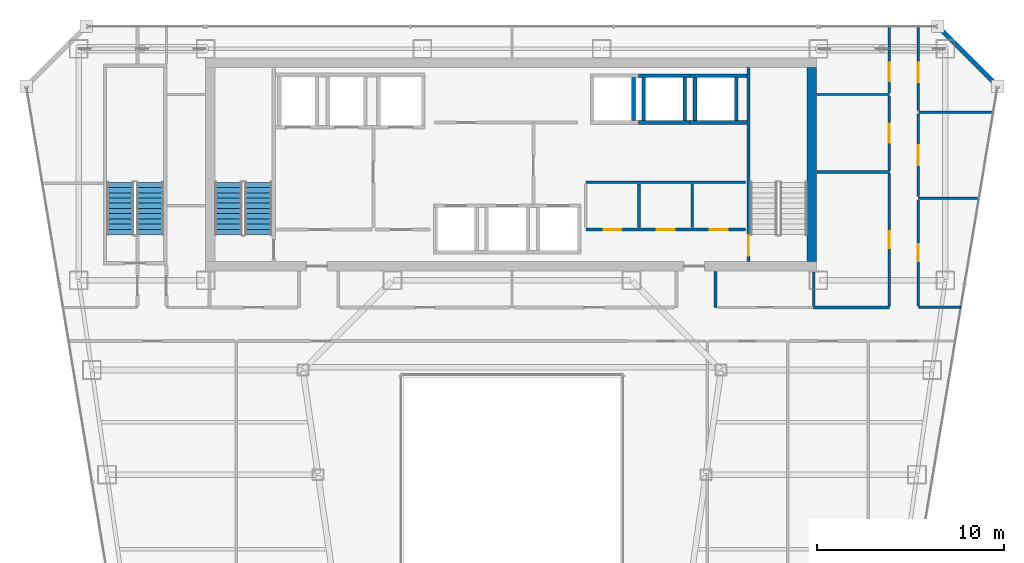
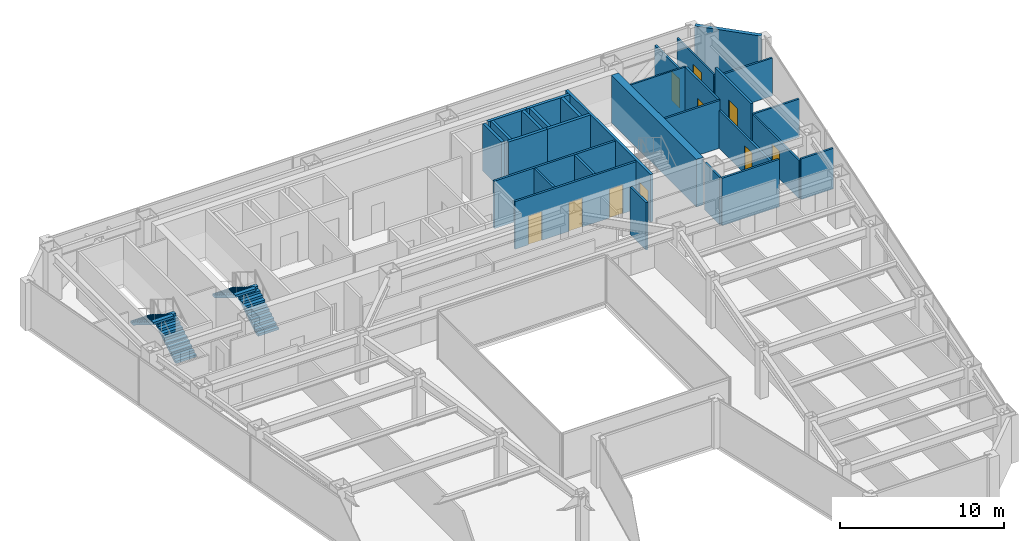
# One storey, part 33 of 37: 30 walls, 10 doors, 4 stair flights, 10 openings, 2 elements without a shape of their own.
"""IFC4 building model written with IfcOpenShell, lengths in metres."""

import ifcopenshell
import ifcopenshell.guid

model = None  # the IFC model being written
_history = None  # IfcOwnerHistory: only IFC2X3 demands one
_inside = {}  # id of a spatial element -> (the spatial element, [elements in it])
_under = {}  # id of a project, library or spatial element -> (it, [spatial elements below it])
_declared = {}  # id of a project -> (the project, [libraries it declares])
_typed = {}  # id of a type object -> (the type object, [elements of that type])
_made_of = {}  # id of a material, layer set ... -> (it, [elements and type objects made of it])


def new_model(schema):
    """Start an empty IFC model of exactly this schema.

    Asked for "IFC4X3", IfcOpenShell would pick the latest addendum, in which some entities
    have other attributes; the version numbers below select the first issue.
    IFC2X3 requires an IfcOwnerHistory on every rooted entity: one is made here for all.
    """
    global model, _history
    if schema == "IFC4X3":
        model = ifcopenshell.file(schema_version=(4, 3, 0, 0))
    else:
        model = ifcopenshell.file(schema=schema)
    _inside.clear()
    _under.clear()
    _declared.clear()
    _typed.clear()
    _made_of.clear()
    _history = None
    if model.schema == "IFC2X3":
        org = make("IfcOrganization", Name="unknown")
        user = make(
            "IfcPersonAndOrganization",
            ThePerson=make("IfcPerson", FamilyName="unknown"),
            TheOrganization=org,
        )
        app = make(
            "IfcApplication",
            ApplicationDeveloper=org,
            Version="unknown",
            ApplicationFullName="unknown",
            ApplicationIdentifier="unknown",
        )
        _history = make(
            "IfcOwnerHistory",
            OwningUser=user,
            OwningApplication=app,
            ChangeAction="ADDED",
            CreationDate=0,
        )
    return model


def make(cls, **values):
    """One entity of the class cls with the attributes given. An attribute that is None is left unset."""
    return model.create_entity(
        cls, **{name: value for name, value in values.items() if value is not None}
    )


def rooted(cls, **values):
    """An entity with a GlobalId (a new one), such as an element, a storey or a relation."""
    return make(cls, GlobalId=ifcopenshell.guid.new(), OwnerHistory=_history, **values)


def si_unit(unit_type, name, prefix=None):
    """IfcSIUnit, for example si_unit("LENGTHUNIT", "METRE", prefix="MILLI")."""
    return make("IfcSIUnit", UnitType=unit_type, Prefix=prefix, Name=name)


def assignment(units):
    """IfcUnitAssignment: the units of a project."""
    return None if units is None else make("IfcUnitAssignment", Units=units)


def point(xyz):
    """IfcCartesianPoint."""
    return None if xyz is None else make("IfcCartesianPoint", Coordinates=xyz)


def direction(xyz):
    """IfcDirection."""
    return None if xyz is None else make("IfcDirection", DirectionRatios=xyz)


def frame(location, z_axis=None, x_axis=None):
    """IfcAxis2Placement3D, a coordinate frame: its origin and axes. An axis left out is left unset."""
    return make(
        "IfcAxis2Placement3D",
        Location=point(location),
        Axis=direction(z_axis),
        RefDirection=direction(x_axis),
    )


def frame_2d(location, x_axis=None):
    """IfcAxis2Placement2D, a coordinate frame in the plane: its origin and x axis."""
    return make(
        "IfcAxis2Placement2D", Location=point(location), RefDirection=direction(x_axis)
    )


def origin():
    """The frame at (0, 0, 0) with its axes left unset."""
    return frame((0.0, 0.0, 0.0))


def place(relative_to, where):
    """IfcLocalPlacement: puts the frame where relative to a parent placement (None: the world)."""
    return make(
        "IfcLocalPlacement", PlacementRelTo=relative_to, RelativePlacement=where
    )


def context(
    kind, dimensions, precision=None, world=None, true_north=None, identifier=None
):
    """IfcGeometricRepresentationContext, for example the 3D "Model" context."""
    return make(
        "IfcGeometricRepresentationContext",
        ContextIdentifier=identifier,
        ContextType=kind,
        CoordinateSpaceDimension=dimensions,
        Precision=precision,
        WorldCoordinateSystem=world,
        TrueNorth=true_north,
    )


def subcontext(parent, identifier, kind, view, scale=None):
    """IfcGeometricRepresentationSubContext, for example "Body" below "Model"."""
    return make(
        "IfcGeometricRepresentationSubContext",
        ContextIdentifier=identifier,
        ContextType=kind,
        ParentContext=parent,
        TargetScale=scale,
        TargetView=view,
    )


def project(units=None, contexts=None):
    """IfcProject with its units and contexts."""
    return rooted(
        "IfcProject",
        Name="project",
        RepresentationContexts=contexts,
        UnitsInContext=assignment(units),
    )


def spatial(cls, under=None, at=None, **own):
    """A site, building, storey or space (cls), placed at a placement, below another one or the project."""
    s = rooted(cls, ObjectPlacement=at, **own)
    if under is not None:
        _under.setdefault(under.id(), (under, []))[1].append(s)
    return s


def polyline(points):
    """IfcPolyline through the points."""
    return make("IfcPolyline", Points=[point(p) for p in points])


def profile(cls, at=None, kind="AREA", **sizes):
    """A parametric profile (cls). Its sizes go by their IFC names, for example OverallWidth=200.0."""
    return make(cls, ProfileType=kind, Position=at, **sizes)


def rectangle(**sizes):
    """IfcRectangleProfileDef."""
    return profile("IfcRectangleProfileDef", **sizes)


def outline(outer, holes=None, kind="AREA"):
    """IfcArbitraryClosedProfileDef: a profile drawn as a closed curve; with holes, ...WithVoids."""
    if holes is None:
        return make("IfcArbitraryClosedProfileDef", ProfileType=kind, OuterCurve=outer)
    return make(
        "IfcArbitraryProfileDefWithVoids",
        ProfileType=kind,
        OuterCurve=outer,
        InnerCurves=holes,
    )


def extrude(swept, where, along, depth):
    """IfcExtrudedAreaSolid: the profile swept, set in the frame where, extruded along a direction by depth."""
    return make(
        "IfcExtrudedAreaSolid",
        SweptArea=swept,
        Position=where,
        ExtrudedDirection=direction(along),
        Depth=depth,
    )


def shape(context_of_items, identifier, shape_type, items):
    """IfcShapeRepresentation: the items that make up one representation, for example the "Body"."""
    return make(
        "IfcShapeRepresentation",
        ContextOfItems=context_of_items,
        RepresentationIdentifier=identifier,
        RepresentationType=shape_type,
        Items=items,
    )


def material(Name=None, Category=None):
    """IfcMaterial."""
    return make("IfcMaterial", Name=Name, Category=Category)


def layer(
    of_material, thickness, ventilated=None, Name=None, Category=None, Priority=None
):
    """IfcMaterialLayer: one layer of a wall or slab, of a material (None: an air gap)."""
    return make(
        "IfcMaterialLayer",
        Material=of_material,
        LayerThickness=thickness,
        IsVentilated=ventilated,
        Name=Name,
        Category=Category,
        Priority=Priority,
    )


def layer_set(layers, Name=None):
    """IfcMaterialLayerSet."""
    return make("IfcMaterialLayerSet", MaterialLayers=layers, LayerSetName=Name)


def made_of(thing, what):
    """Note that an element or type object is made of a material, layer set ...; save() writes the relation."""
    if what is not None:
        _made_of.setdefault(what.id(), (what, []))[1].append(thing)
    return thing


def type_object(cls, material=None, **own):
    """A type object (cls), such as IfcWallType, which elements share."""
    return made_of(rooted(cls, **own), material)


def element(
    cls,
    number,
    at=None,
    inside=None,
    cuts=None,
    type_object=None,
    material=None,
    context=None,
    identifier="Body",
    shape_type=None,
    held_by="IfcProductDefinitionShape",
    body=None,
    shapes=None,
    **own,
):
    """One element of the class cls, such as IfcWall. Its Tag is "e" and its number.

    at: its placement. inside: the storey or other place that contains it. cuts: it is an
    opening in that element (IfcRelVoidsElement). A single representation is given by context,
    identifier, shape_type and body (its items); several are given by shapes. held_by: the class
    of the entity that holds the representations. save() writes the other relations.
    """
    e = rooted(cls, Tag="e%d" % number, ObjectPlacement=at, **own)
    if body is not None:
        shapes = [shape(context, identifier, shape_type, body)]
    if shapes is not None:
        e.Representation = make(held_by, Representations=shapes)
    if inside is not None:
        _inside.setdefault(inside.id(), (inside, []))[1].append(e)
    if cuts is not None:
        rooted(
            "IfcRelVoidsElement", RelatingBuildingElement=cuts, RelatedOpeningElement=e
        )
    if type_object is not None:
        _typed.setdefault(type_object.id(), (type_object, []))[1].append(e)
    return made_of(e, material)


def fill(opening, filler):
    """IfcRelFillsElement: the door or window that sits in an opening."""
    return rooted(
        "IfcRelFillsElement",
        RelatingOpeningElement=opening,
        RelatedBuildingElement=filler,
    )


def aggregate(whole, parts):
    """IfcRelAggregates: a whole, such as a stair, and the parts it consists of."""
    return rooted("IfcRelAggregates", RelatingObject=whole, RelatedObjects=parts)


def save(model, path):
    """Write the relations noted so far, then the file.

    IfcRelAggregates (storeys below a building ...), IfcRelContainedInSpatialStructure (elements
    in a storey), IfcRelDefinesByType, IfcRelAssociatesMaterial and IfcRelDeclares: one each for
    every whole, place, type object, material and project.
    """
    for whole, parts in _under.values():
        aggregate(whole, parts)
    for where, things in _inside.values():
        rooted(
            "IfcRelContainedInSpatialStructure",
            RelatedElements=things,
            RelatingStructure=where,
        )
    for kind, things in _typed.values():
        rooted("IfcRelDefinesByType", RelatedObjects=things, RelatingType=kind)
    for what, things in _made_of.values():
        rooted("IfcRelAssociatesMaterial", RelatedObjects=things, RelatingMaterial=what)
    for by, libraries in _declared.values():
        rooted("IfcRelDeclares", RelatingContext=by, RelatedDefinitions=libraries)
    model.write(path)


model = new_model("IFC4")

# Units and contexts
model_context = context("Model", 3, precision=1e-05, world=origin(), true_north=direction((0.0, 1.0)))
body_context = subcontext(model_context, "Body", "Model", "MODEL_VIEW")
ifc_project = project(units=[si_unit("LENGTHUNIT", "METRE"), si_unit("AREAUNIT", "SQUARE_METRE"), si_unit("VOLUMEUNIT", "CUBIC_METRE"), si_unit("PLANEANGLEUNIT", "RADIAN"), si_unit("MASSUNIT", "GRAM", prefix="KILO")], contexts=[model_context])

# Site, building, storey
site_placement = place(None, origin())
site = spatial("IfcSite", under=ifc_project, at=site_placement, CompositionType="ELEMENT")
building_placement = place(site_placement, origin())
building = spatial("IfcBuilding", under=site, at=building_placement, Name="Saevonmaru Cultural Tower", CompositionType="ELEMENT")
storey_placement = place(building_placement, frame((0.0, 0.0, 141.0)))
storey = spatial("IfcBuildingStorey", under=building, at=storey_placement, Name="L30", CompositionType="ELEMENT", Elevation=141.0)

# Wall
ifc_material_1 = material(Name="Concrete C60/75", Category="concrete")
ifc_layer_1 = layer(ifc_material_1, 0.5, Name="Concrete C60/75")
ifc_layer_set_1 = layer_set([ifc_layer_1], Name="Concrete C60/75")
wall_type_1 = type_object("IfcWallType", Name="WL-CORE-500", PredefinedType="SHEAR", material=ifc_layer_set_1)
wall_1_placement = place(storey_placement, frame((46.050048828125, 43.39990234375, 0.0), z_axis=(0.0, 0.0, 1.0), x_axis=(0.0, 1.0, 0.0)))
element("IfcWall", 1, at=wall_1_placement, inside=storey, type_object=wall_type_1, Name="L30 Tower RC core shear wall E", PredefinedType="SHEAR", context=body_context, shape_type="SweptSolid", body=[
    extrude(rectangle(XDim=10.400146484375, YDim=0.5, at=frame_2d((5.2001953125, 0.0))), origin(), (0.0, 0.0, 1.0), 3.550048828125),
])

# Wall, openings, doors
ifc_material_2 = material(Name="Gypsum Fireboard Partition", Category="gypsum")
ifc_layer_2 = layer(ifc_material_2, 0.14990234375, Name="Gypsum Fireboard Partition")
ifc_layer_set_2 = layer_set([ifc_layer_2], Name="Gypsum Fireboard Partition")
wall_type_2 = type_object("IfcWallType", Name="WL-CORE-PART-150", PredefinedType="PARTITIONING", material=ifc_layer_set_2)
wall_2_placement = place(storey_placement, frame((33.949951171875, 45.1201171875, 0.0), z_axis=(0.0, 0.0, 1.0), x_axis=(1.0, 0.0, 0.0)))
wall_2 = element("IfcWall", 2, at=wall_2_placement, inside=storey, type_object=wall_type_2, Name="L30 Core Utility South Wall", PredefinedType="PARTITIONING", context=body_context, shape_type="SweptSolid", body=[
    extrude(rectangle(XDim=8.550048828125, YDim=0.14990234375, at=frame_2d((4.27490234375, 0.0))), origin(), (0.0, 0.0, 1.0), 3.550048828125),
])
opening_1_placement = place(wall_2_placement, frame((0.949951171875, 0.0, 0.0)))
opening_1 = element("IfcOpeningElement", 3, at=opening_1_placement, cuts=wall_2, Name="Opening FD-4", PredefinedType="OPENING", context=body_context, shape_type="SweptSolid", body=[
    extrude(rectangle(XDim=0.949951171875, YDim=2.14990234375, at=frame_2d((0.47509765625, 1.074951171875))), frame((0.0, 0.0849609375, 0.0), z_axis=(0.0, -1.0, 0.0), x_axis=(1.0, 0.0, 0.0)), (0.0, 0.0, 1.0), 0.169921875),
])
opening_2_placement = place(wall_2_placement, frame((3.800048828125, 0.0, 0.0)))
opening_2 = element("IfcOpeningElement", 4, at=opening_2_placement, cuts=wall_2, Name="Opening FD-4", PredefinedType="OPENING", context=body_context, shape_type="SweptSolid", body=[
    extrude(rectangle(XDim=0.949951171875, YDim=2.14990234375, at=frame_2d((0.47509765625, 1.074951171875))), frame((0.0, 0.0849609375, 0.0), z_axis=(0.0, -1.0, 0.0), x_axis=(1.0, 0.0, 0.0)), (0.0, 0.0, 1.0), 0.169921875),
])
opening_3_placement = place(wall_2_placement, frame((6.64990234375, 0.0, 0.0)))
opening_3 = element("IfcOpeningElement", 5, at=opening_3_placement, cuts=wall_2, Name="Opening FD-4", PredefinedType="OPENING", context=body_context, shape_type="SweptSolid", body=[
    extrude(rectangle(XDim=0.949951171875, YDim=2.14990234375, at=frame_2d((0.47509765625, 1.074951171875))), frame((0.0, 0.0849609375, 0.0), z_axis=(0.0, -1.0, 0.0), x_axis=(1.0, 0.0, 0.0)), (0.0, 0.0, 1.0), 0.169921875),
])
ifc_material_3 = material(Name="Satin Bronze Anodised Aluminium", Category="aluminium")
door_type_1 = type_object("IfcDoorType", Name="DR-FD60-950", OperationType="SINGLE_SWING_LEFT", PredefinedType="DOOR", material=ifc_material_3)
door_1_placement = place(opening_1_placement, origin())
door_1 = element("IfcDoor", 6, at=door_1_placement, inside=storey, type_object=door_type_1, Name="L30 Meter Plant Door", OperationType="SINGLE_SWING_LEFT", OverallHeight=2.14990234375, OverallWidth=0.949951171875, PredefinedType="DOOR", context=body_context, shape_type="SweptSolid", body=[
    extrude(rectangle(XDim=0.949951171875, YDim=2.14990234375, at=frame_2d((0.47509765625, 1.074951171875))), frame((0.0, 0.02490234375, 0.0), z_axis=(0.0, -1.0, 0.0), x_axis=(1.0, 0.0, 0.0)), (0.0, 0.0, 1.0), 0.050048828125),
])
fill(opening_1, door_1)
door_2_placement = place(opening_2_placement, origin())
door_2 = element("IfcDoor", 7, at=door_2_placement, inside=storey, type_object=door_type_1, Name="L30 AV Rack Plant Door", OperationType="SINGLE_SWING_LEFT", OverallHeight=2.14990234375, OverallWidth=0.949951171875, PredefinedType="DOOR", context=body_context, shape_type="SweptSolid", body=[
    extrude(rectangle(XDim=0.949951171875, YDim=2.14990234375, at=frame_2d((0.47509765625, 1.074951171875))), frame((0.0, 0.02490234375, 0.0), z_axis=(0.0, -1.0, 0.0), x_axis=(1.0, 0.0, 0.0)), (0.0, 0.0, 1.0), 0.050048828125),
])
fill(opening_2, door_2)
door_3_placement = place(opening_3_placement, origin())
door_3 = element("IfcDoor", 8, at=door_3_placement, inside=storey, type_object=door_type_1, Name="L30 Archive Supply Storage Door", OperationType="SINGLE_SWING_LEFT", OverallHeight=2.14990234375, OverallWidth=0.949951171875, PredefinedType="DOOR", context=body_context, shape_type="SweptSolid", body=[
    extrude(rectangle(XDim=0.949951171875, YDim=2.14990234375, at=frame_2d((0.47509765625, 1.074951171875))), frame((0.0, 0.02490234375, 0.0), z_axis=(0.0, -1.0, 0.0), x_axis=(1.0, 0.0, 0.0)), (0.0, 0.0, 1.0), 0.050048828125),
])
fill(opening_3, door_3)

# Walls
wall_3_placement = place(storey_placement, frame((33.949951171875, 47.64990234375, 0.0), z_axis=(0.0, 0.0, 1.0), x_axis=(1.0, 0.0, 0.0)))
element("IfcWall", 9, at=wall_3_placement, inside=storey, type_object=wall_type_2, Name="L30 Core Utility North Wall", PredefinedType="PARTITIONING", context=body_context, shape_type="SweptSolid", body=[
    extrude(rectangle(XDim=8.550048828125, YDim=0.14990234375, at=frame_2d((4.27490234375, 0.0))), origin(), (0.0, 0.0, 1.0), 3.550048828125),
])
for number, where, z_axis, x_axis, name in (
    (10, (36.800048828125, 45.219970703125, 0.0), (0.0, 0.0, 1.0), (0.0, 1.0, 0.0), "L30 Utility Divider 1"),
    (11, (39.64990234375, 45.219970703125, 0.0), (0.0, 0.0, 1.0), (0.0, 1.0, 0.0), "L30 Utility Divider 2"),
):
    element("IfcWall", number, at=place(storey_placement, frame(where, z_axis=z_axis, x_axis=x_axis)), inside=storey, type_object=wall_type_2, Name=name, PredefinedType="PARTITIONING", context=body_context, shape_type="SweptSolid", body=[
        extrude(rectangle(XDim=2.330078125, YDim=0.14990234375, at=frame_2d((1.1650390625, 0.0))), origin(), (0.0, 0.0, 1.0), 3.550048828125),
    ])
ifc_material_4 = material(Name="Granite-Clad Precast Concrete C40/50", Category="masonry")
ifc_layer_3 = layer(ifc_material_4, 0.260009765625, Name="Granite-Clad Precast Concrete C40/50")
ifc_layer_set_3 = layer_set([ifc_layer_3], Name="Granite-Clad Precast Concrete C40/50")
wall_type_3 = type_object("IfcWallType", Name="WL-EXT-SPANDREL-260", PredefinedType="STANDARD", material=ifc_layer_set_3)
wall_4_placement = place(storey_placement, frame((55.886962890625, 52.9130859375, 0.0), z_axis=(0.0, 0.0, 1.0), x_axis=(-0.707106781187, 0.707106781187, 0.0)))
element("IfcWall", 12, at=wall_4_placement, inside=storey, type_object=wall_type_3, Name="L30 Chamfer Corner Spandrel Wall E9", PredefinedType="STANDARD", context=body_context, shape_type="SweptSolid", body=[
    extrude(rectangle(XDim=4.205810546875, YDim=0.260009765625, at=frame_2d((2.10302734375, 0.0))), origin(), (0.0, 0.0, 1.0), 3.550048828125),
])

# Wall, opening, door
ifc_layer_4 = layer(ifc_material_2, 0.14990234375, Name="Gypsum Fireboard Partition")
ifc_layer_set_4 = layer_set([ifc_layer_4], Name="Gypsum Fireboard Partition")
wall_type_4 = type_object("IfcWallType", Name="WL-PART-FIRE-150", PredefinedType="PARTITIONING", material=ifc_layer_set_4)
wall_5_placement = place(storey_placement, frame((50.199951171875, 48.2900390625, 0.0), z_axis=(0.0, 0.0, 1.0), x_axis=(0.0, 1.0, 0.0)))
wall_5 = element("IfcWall", 13, at=wall_5_placement, inside=storey, type_object=wall_type_4, Name="L30 Acoustic Chamber Auditorium Corridor Wall", PredefinedType="PARTITIONING", context=body_context, shape_type="SweptSolid", body=[
    extrude(rectangle(XDim=3.97998046875, YDim=0.14990234375, at=frame_2d((1.989990234375, 0.0))), origin(), (0.0, 0.0, 1.0), 3.550048828125),
])
opening_4_placement = place(wall_5_placement, frame((1.489990234375, 0.0, 0.0)))
opening_4 = element("IfcOpeningElement", 14, at=opening_4_placement, cuts=wall_5, Name="Opening ID-1B", PredefinedType="OPENING", context=body_context, shape_type="SweptSolid", body=[
    extrude(rectangle(XDim=1.0, YDim=2.14990234375, at=frame_2d((0.5, 1.074951171875))), frame((0.0, 0.0849609375, 0.0), z_axis=(0.0, -1.0, 0.0), x_axis=(1.0, 0.0, 0.0)), (0.0, 0.0, 1.0), 0.169921875),
])
ifc_material_5 = material(Name="Acoustic Stained Oak Timber", Category="wood")
door_type_2 = type_object("IfcDoorType", Name="DR-INT-1000", OperationType="SINGLE_SWING_RIGHT", PredefinedType="DOOR", material=ifc_material_5)
door_4_placement = place(opening_4_placement, origin())
door_4 = element("IfcDoor", 15, at=door_4_placement, inside=storey, type_object=door_type_2, Name="L30 Acoustic Chamber Auditorium Door", OperationType="SINGLE_SWING_LEFT", OverallHeight=2.14990234375, OverallWidth=1.0, PredefinedType="DOOR", context=body_context, shape_type="SweptSolid", body=[
    extrude(rectangle(XDim=1.0, YDim=2.14990234375, at=frame_2d((0.5, 1.074951171875))), frame((0.0, 0.02490234375, 0.0), z_axis=(0.0, -1.0, 0.0), x_axis=(1.0, 0.0, 0.0)), (0.0, 0.0, 1.0), 0.050048828125),
])
fill(opening_4, door_4)

wall_6_placement = place(storey_placement, frame((50.199951171875, 52.429931640625, 0.0), z_axis=(0.0, 0.0, 1.0), x_axis=(0.0, 1.0, 0.0)))
wall_6 = element("IfcWall", 16, at=wall_6_placement, inside=storey, type_object=wall_type_4, Name="L30 Sound Art Screening Auditorium Corridor Wall", PredefinedType="PARTITIONING", context=body_context, shape_type="SweptSolid", body=[
    extrude(rectangle(XDim=3.565185546875, YDim=0.14990234375, at=frame_2d((1.78271484375, 0.0))), origin(), (0.0, 0.0, 1.0), 2.93505859375),
])
opening_5_placement = place(wall_6_placement, frame((0.6220703125, 0.0, 0.0)))
opening_5 = element("IfcOpeningElement", 17, at=opening_5_placement, cuts=wall_6, Name="Opening ID-1B", PredefinedType="OPENING", context=body_context, shape_type="SweptSolid", body=[
    extrude(rectangle(XDim=1.0, YDim=2.14990234375, at=frame_2d((0.5, 1.074951171875))), frame((0.0, 0.0849609375, 0.0), z_axis=(0.0, -1.0, 0.0), x_axis=(1.0, 0.0, 0.0)), (0.0, 0.0, 1.0), 0.169921875),
])
door_5_placement = place(opening_5_placement, origin())
door_5 = element("IfcDoor", 18, at=door_5_placement, inside=storey, type_object=door_type_2, Name="L30 Sound Art Screening Auditorium Door", OperationType="SINGLE_SWING_RIGHT", OverallHeight=2.14990234375, OverallWidth=1.0, PredefinedType="DOOR", context=body_context, shape_type="SweptSolid", body=[
    extrude(rectangle(XDim=1.0, YDim=2.14990234375, at=frame_2d((0.5, 1.074951171875))), frame((0.0, 0.02490234375, 0.0), z_axis=(0.0, -1.0, 0.0), x_axis=(1.0, 0.0, 0.0)), (0.0, 0.0, 1.0), 0.050048828125),
])
fill(opening_5, door_5)

wall_7_placement = place(storey_placement, frame((51.75, 46.887451171875, 0.0), z_axis=(0.0, 0.0, 1.0), x_axis=(0.0, 1.0, 0.0)))
wall_7 = element("IfcWall", 19, at=wall_7_placement, inside=storey, type_object=wall_type_4, Name="L30 Sky Observatory Gallery Corridor Wall", PredefinedType="PARTITIONING", context=body_context, shape_type="SweptSolid", body=[
    extrude(rectangle(XDim=4.425048828125, YDim=0.14990234375, at=frame_2d((2.21240234375, 0.0))), origin(), (0.0, 0.0, 1.0), 3.550048828125),
])
opening_6_placement = place(wall_7_placement, frame((1.68701171875, 0.0, 0.0)))
opening_6 = element("IfcOpeningElement", 20, at=opening_6_placement, cuts=wall_7, Name="Opening ID-1", PredefinedType="OPENING", context=body_context, shape_type="SweptSolid", body=[
    extrude(rectangle(XDim=1.050048828125, YDim=2.14990234375, at=frame_2d((0.52490234375, 1.074951171875))), frame((0.0, 0.0849609375, 0.0), z_axis=(0.0, -1.0, 0.0), x_axis=(1.0, 0.0, 0.0)), (0.0, 0.0, 1.0), 0.169921875),
])
door_type_3 = type_object("IfcDoorType", Name="DR-INT-1050", OperationType="SINGLE_SWING_LEFT", PredefinedType="DOOR", material=ifc_material_3)
door_6_placement = place(opening_6_placement, origin())
door_6 = element("IfcDoor", 21, at=door_6_placement, inside=storey, type_object=door_type_3, Name="L30 Sky Observatory Gallery Door", OperationType="SINGLE_SWING_RIGHT", OverallHeight=2.14990234375, OverallWidth=1.050048828125, PredefinedType="DOOR", context=body_context, shape_type="SweptSolid", body=[
    extrude(rectangle(XDim=1.050048828125, YDim=2.14990234375, at=frame_2d((0.52490234375, 1.074951171875))), frame((0.0, 0.02490234375, 0.0), z_axis=(0.0, -1.0, 0.0), x_axis=(1.0, 0.0, 0.0)), (0.0, 0.0, 1.0), 0.050048828125),
])
fill(opening_6, door_6)

# Walls
wall_8_placement = place(storey_placement, frame((40.89990234375, 40.949951171875, 0.0), z_axis=(0.0, 0.0, 1.0), x_axis=(0.0, 1.0, 0.0)))
element("IfcWall", 22, at=wall_8_placement, inside=storey, type_object=wall_type_4, Name="L30 Core Portal Side Wall E2", PredefinedType="PARTITIONING", context=body_context, shape_type="SweptSolid", body=[
    extrude(rectangle(XDim=1.929931640625, YDim=0.14990234375, at=frame_2d((0.96484375, 0.0))), origin(), (0.0, 0.0, 1.0), 3.550048828125),
])
ifc_layer_5 = layer(ifc_material_2, 0.1201171875, Name="Gypsum Fireboard Partition")
ifc_layer_set_5 = layer_set([ifc_layer_5], Name="Gypsum Fireboard Partition")
wall_type_5 = type_object("IfcWallType", Name="WL-PART-GYP-120", PredefinedType="PARTITIONING", material=ifc_layer_set_5)
wall_9_placement = place(storey_placement, frame((46.320068359375, 52.35009765625, 0.0), z_axis=(0.0, 0.0, 1.0), x_axis=(1.0, 0.0, 0.0)))
element("IfcWall", 23, at=wall_9_placement, inside=storey, type_object=wall_type_5, Name="L30 North-East Panorama South Wall", PredefinedType="PARTITIONING", context=body_context, shape_type="SweptSolid", body=[
    extrude(rectangle(XDim=3.8798828125, YDim=0.1201171875, at=frame_2d((1.93994140625, 0.0))), origin(), (0.0, 0.0, 1.0), 3.550048828125),
])

# Wall, opening, door
wall_10_placement = place(storey_placement, frame((51.75, 41.03759765625, 0.0), z_axis=(0.0, 0.0, 1.0), x_axis=(0.0, 1.0, 0.0)))
wall_10 = element("IfcWall", 24, at=wall_10_placement, inside=storey, type_object=wall_type_5, Name="L30 Scholarly Colloquium Meeting Room Corridor Wall", PredefinedType="PARTITIONING", context=body_context, shape_type="SweptSolid", body=[
    extrude(rectangle(XDim=5.6748046875, YDim=0.1201171875, at=frame_2d((2.83740234375, 0.0))), origin(), (0.0, 0.0, 1.0), 2.8349609375),
])
opening_7_placement = place(wall_10_placement, frame((2.386962890625, 0.0, 0.0)))
opening_7 = element("IfcOpeningElement", 25, at=opening_7_placement, cuts=wall_10, Name="Opening ID-2", PredefinedType="OPENING", context=body_context, shape_type="SweptSolid", body=[
    extrude(rectangle(XDim=0.89990234375, YDim=2.10009765625, at=frame_2d((0.449951171875, 1.050048828125))), frame((0.0, 0.070068359375, 0.0), z_axis=(0.0, -1.0, 0.0), x_axis=(1.0, 0.0, 0.0)), (0.0, 0.0, 1.0), 0.14013671875),
])
door_type_4 = type_object("IfcDoorType", Name="DR-INT-900", OperationType="SINGLE_SWING_RIGHT", PredefinedType="DOOR", material=ifc_material_5)
door_7_placement = place(opening_7_placement, origin())
door_7 = element("IfcDoor", 26, at=door_7_placement, inside=storey, type_object=door_type_4, Name="L30 Scholarly Colloquium Meeting Room Door", OperationType="SINGLE_SWING_LEFT", OverallHeight=2.10009765625, OverallWidth=0.89990234375, PredefinedType="DOOR", context=body_context, shape_type="SweptSolid", body=[
    extrude(rectangle(XDim=0.89990234375, YDim=2.10009765625, at=frame_2d((0.449951171875, 1.050048828125))), frame((0.0, 0.02490234375, 0.0), z_axis=(0.0, -1.0, 0.0), x_axis=(1.0, 0.0, 0.0)), (0.0, 0.0, 1.0), 0.050048828125),
])
fill(opening_7, door_7)

wall_11_placement = place(storey_placement, frame((51.75, 51.487548828125, 0.0), z_axis=(0.0, 0.0, 1.0), x_axis=(0.0, 1.0, 0.0)))
wall_11 = element("IfcWall", 27, at=wall_11_placement, inside=storey, type_object=wall_type_5, Name="L30 Panorama Reading Room Corridor Wall", PredefinedType="PARTITIONING", context=body_context, shape_type="SweptSolid", body=[
    extrude(rectangle(XDim=4.507568359375, YDim=0.1201171875, at=frame_2d((2.25390625, 0.0))), origin(), (0.0, 0.0, 1.0), 2.93505859375),
])
opening_8_placement = place(wall_11_placement, frame((1.509033203125, 0.0, 0.0)))
opening_8 = element("IfcOpeningElement", 28, at=opening_8_placement, cuts=wall_11, Name="Opening ID-1", PredefinedType="OPENING", context=body_context, shape_type="SweptSolid", body=[
    extrude(rectangle(XDim=1.050048828125, YDim=2.14990234375, at=frame_2d((0.52490234375, 1.074951171875))), frame((0.0, 0.070068359375, 0.0), z_axis=(0.0, -1.0, 0.0), x_axis=(1.0, 0.0, 0.0)), (0.0, 0.0, 1.0), 0.14013671875),
])
door_8_placement = place(opening_8_placement, origin())
door_8 = element("IfcDoor", 29, at=door_8_placement, inside=storey, type_object=door_type_3, Name="L30 Panorama Reading Room Door", OperationType="SINGLE_SWING_LEFT", OverallHeight=2.14990234375, OverallWidth=1.050048828125, PredefinedType="DOOR", context=body_context, shape_type="SweptSolid", body=[
    extrude(rectangle(XDim=1.050048828125, YDim=2.14990234375, at=frame_2d((0.52490234375, 1.074951171875))), frame((0.0, 0.02490234375, 0.0), z_axis=(0.0, -1.0, 0.0), x_axis=(1.0, 0.0, 0.0)), (0.0, 0.0, 1.0), 0.050048828125),
])
fill(opening_8, door_8)

# Walls
ifc_layer_6 = layer(ifc_material_2, 0.135009765625, Name="Gypsum Fireboard Partition")
ifc_layer_set_6 = layer_set([ifc_layer_6], Name="Gypsum Fireboard Partition")
wall_type_6 = type_object("IfcWallType", Name="WL-PART-GYP-135", PredefinedType="PARTITIONING", material=ifc_layer_set_6)
wall_12_placement = place(storey_placement, frame((51.75, 40.949951171875, 0.0), z_axis=(0.0, 0.0, 1.0), x_axis=(1.0, 0.0, 0.0)))
element("IfcWall", 30, at=wall_12_placement, inside=storey, type_object=wall_type_6, Name="L30 NE Wing South Wall", PredefinedType="PARTITIONING", context=body_context, shape_type="SweptSolid", body=[
    extrude(rectangle(XDim=2.27490234375, YDim=0.135009765625, at=frame_2d((1.137451171875, 0.0))), origin(), (0.0, 0.0, 1.0), 3.034912109375),
])
wall_13_placement = place(storey_placement, frame((51.75, 46.800048828125, 0.0), z_axis=(0.0, 0.0, 1.0), x_axis=(1.0, 0.0, 0.0)))
element("IfcWall", 31, at=wall_13_placement, inside=storey, type_object=wall_type_6, Name="L30 NE Studio Divider 1", PredefinedType="PARTITIONING", context=body_context, shape_type="SweptSolid", body=[
    extrude(rectangle(XDim=3.247314453125, YDim=0.135009765625, at=frame_2d((1.62353515625, 0.0))), origin(), (0.0, 0.0, 1.0), 2.8349609375),
])
wall_14_placement = place(storey_placement, frame((51.75, 51.39990234375, 0.0), z_axis=(0.0, 0.0, 1.0), x_axis=(1.0, 0.0, 0.0)))
element("IfcWall", 32, at=wall_14_placement, inside=storey, type_object=wall_type_6, Name="L30 NE Studio Divider 2", PredefinedType="PARTITIONING", context=body_context, shape_type="SweptSolid", body=[
    extrude(rectangle(XDim=4.01220703125, YDim=0.135009765625, at=frame_2d((2.006103515625, 0.0))), origin(), (0.0, 0.0, 1.0), 2.8349609375),
])
ifc_layer_7 = layer(ifc_material_2, 0.139892578125, Name="Gypsum Fireboard Partition")
ifc_layer_set_7 = layer_set([ifc_layer_7], Name="Gypsum Fireboard Partition")
wall_type_7 = type_object("IfcWallType", Name="WL-PART-WET-140", PredefinedType="PARTITIONING", material=ifc_layer_set_7)
wall_15_placement = place(storey_placement, frame((46.14990234375, 40.949951171875, 0.0), z_axis=(0.0, 0.0, 1.0), x_axis=(1.0, 0.0, 0.0)))
element("IfcWall", 33, at=wall_15_placement, inside=storey, type_object=wall_type_7, Name="L30 Washroom South Wall", PredefinedType="PARTITIONING", context=body_context, shape_type="SweptSolid", body=[
    extrude(rectangle(XDim=4.050048828125, YDim=0.139892578125, at=frame_2d((2.02490234375, 0.0))), origin(), (0.0, 0.0, 1.0), 3.550048828125),
])
wall_16_placement = place(storey_placement, frame((46.14990234375, 41.0400390625, 0.0), z_axis=(0.0, 0.0, 1.0), x_axis=(0.0, 1.0, 0.0)))
element("IfcWall", 34, at=wall_16_placement, inside=storey, type_object=wall_type_7, Name="L30 Washroom South-West Return", PredefinedType="PARTITIONING", context=body_context, shape_type="SweptSolid", body=[
    extrude(rectangle(XDim=1.83984375, YDim=0.139892578125, at=frame_2d((0.919921875, 0.0))), origin(), (0.0, 0.0, 1.0), 3.550048828125),
])
wall_17_placement = place(storey_placement, frame((46.320068359375, 48.199951171875, 0.0), z_axis=(0.0, 0.0, 1.0), x_axis=(1.0, 0.0, 0.0)))
element("IfcWall", 35, at=wall_17_placement, inside=storey, type_object=wall_type_7, Name="L30 Washroom North Wall", PredefinedType="PARTITIONING", context=body_context, shape_type="SweptSolid", body=[
    extrude(rectangle(XDim=3.8798828125, YDim=0.139892578125, at=frame_2d((1.93994140625, 0.0))), origin(), (0.0, 0.0, 1.0), 3.550048828125),
])

# Wall, opening, door
wall_18_placement = place(storey_placement, frame((50.199951171875, 41.0400390625, 0.0), z_axis=(0.0, 0.0, 1.0), x_axis=(0.0, 1.0, 0.0)))
wall_18 = element("IfcWall", 36, at=wall_18_placement, inside=storey, type_object=wall_type_7, Name="L30 Washroom Corridor Wall", PredefinedType="PARTITIONING", context=body_context, shape_type="SweptSolid", body=[
    extrude(rectangle(XDim=7.070068359375, YDim=0.139892578125, at=frame_2d((3.53515625, 0.0))), origin(), (0.0, 0.0, 1.0), 2.8349609375),
])
opening_9_placement = place(wall_18_placement, frame((3.0849609375, 0.0, 0.0)))
opening_9 = element("IfcOpeningElement", 37, at=opening_9_placement, cuts=wall_18, Name="Opening ID-2", PredefinedType="OPENING", context=body_context, shape_type="SweptSolid", body=[
    extrude(rectangle(XDim=0.89990234375, YDim=2.10009765625, at=frame_2d((0.449951171875, 1.050048828125))), frame((0.0, 0.080078125, 0.0), z_axis=(0.0, -1.0, 0.0), x_axis=(1.0, 0.0, 0.0)), (0.0, 0.0, 1.0), 0.159912109375),
])
door_9_placement = place(opening_9_placement, origin())
door_9 = element("IfcDoor", 38, at=door_9_placement, inside=storey, type_object=door_type_4, Name="L30 Public Accessible Washrooms Door", OperationType="SINGLE_SWING_RIGHT", OverallHeight=2.10009765625, OverallWidth=0.89990234375, PredefinedType="DOOR", context=body_context, shape_type="SweptSolid", body=[
    extrude(rectangle(XDim=0.89990234375, YDim=2.10009765625, at=frame_2d((0.449951171875, 1.050048828125))), frame((0.0, 0.02490234375, 0.0), z_axis=(0.0, -1.0, 0.0), x_axis=(1.0, 0.0, 0.0)), (0.0, 0.0, 1.0), 0.050048828125),
])
fill(opening_9, door_9)

# Walls
ifc_material_6 = material(Name="Concrete C40/50", Category="concrete")
ifc_layer_8 = layer(ifc_material_6, 0.199951171875, Name="Concrete C40/50")
ifc_layer_set_8 = layer_set([ifc_layer_8], Name="Concrete C40/50")
wall_type_8 = type_object("IfcWallType", Name="WL-SHAFT-200", PredefinedType="SHEAR", material=ifc_layer_set_8)
wall_19_placement = place(storey_placement, frame((36.5, 50.949951171875, 0.0), z_axis=(0.0, 0.0, 1.0), x_axis=(0.0, 1.0, 0.0)))
element("IfcWall", 39, at=wall_19_placement, inside=storey, type_object=wall_type_8, Name="L30 Lift PL-H1 Hoistway Wall E", PredefinedType="SHEAR", context=body_context, shape_type="SweptSolid", body=[
    extrude(rectangle(XDim=2.300048828125, YDim=0.199951171875, at=frame_2d((1.14990234375, 0.0))), origin(), (0.0, 0.0, 1.0), 3.550048828125),
])
for number, where, z_axis, x_axis, name in (
    (40, (36.77490234375, 50.85009765625, 0.0), (0.0, 0.0, 1.0), (1.0, 0.0, 0.0), "L30 Lift PL-H2 Hoistway Wall S"),
    (41, (36.77490234375, 53.35009765625, 0.0), (0.0, 0.0, 1.0), (1.0, 0.0, 0.0), "L30 Lift PL-H2 Hoistway Wall N"),
):
    element("IfcWall", number, at=place(storey_placement, frame(where, z_axis=z_axis, x_axis=x_axis)), inside=storey, type_object=wall_type_8, Name=name, PredefinedType="SHEAR", context=body_context, shape_type="SweptSolid", body=[
        extrude(rectangle(XDim=2.75, YDim=0.199951171875, at=frame_2d((1.375, 0.0))), origin(), (0.0, 0.0, 1.0), 3.550048828125),
    ])
for number, where, z_axis, x_axis, name in (
    (42, (37.050048828125, 50.949951171875, 0.0), (0.0, 0.0, 1.0), (0.0, 1.0, 0.0), "L30 Lift PL-H2 Hoistway Wall W"),
    (43, (39.25, 50.949951171875, 0.0), (0.0, 0.0, 1.0), (0.0, 1.0, 0.0), "L30 Lift PL-H2 Hoistway Wall E"),
):
    element("IfcWall", number, at=place(storey_placement, frame(where, z_axis=z_axis, x_axis=x_axis)), inside=storey, type_object=wall_type_8, Name=name, PredefinedType="SHEAR", context=body_context, shape_type="SweptSolid", body=[
        extrude(rectangle(XDim=2.300048828125, YDim=0.199951171875, at=frame_2d((1.14990234375, 0.0))), origin(), (0.0, 0.0, 1.0), 3.550048828125),
    ])
for number, where, z_axis, x_axis, name in (
    (44, (39.52490234375, 50.85009765625, 0.0), (0.0, 0.0, 1.0), (1.0, 0.0, 0.0), "L30 Lift PL-H3 Hoistway Wall S"),
    (45, (39.52490234375, 53.35009765625, 0.0), (0.0, 0.0, 1.0), (1.0, 0.0, 0.0), "L30 Lift PL-H3 Hoistway Wall N"),
):
    element("IfcWall", number, at=place(storey_placement, frame(where, z_axis=z_axis, x_axis=x_axis)), inside=storey, type_object=wall_type_8, Name=name, PredefinedType="SHEAR", context=body_context, shape_type="SweptSolid", body=[
        extrude(rectangle(XDim=3.045166015625, YDim=0.199951171875, at=frame_2d((1.5224609375, 0.0))), origin(), (0.0, 0.0, 1.0), 3.550048828125),
    ])
for number, where, z_axis, x_axis, name in (
    (46, (39.800048828125, 50.949951171875, 0.0), (0.0, 0.0, 1.0), (0.0, 1.0, 0.0), "L30 Lift PL-H3 Hoistway Wall W"),
    (47, (42.0, 50.949951171875, 0.0), (0.0, 0.0, 1.0), (0.0, 1.0, 0.0), "L30 Lift PL-H3 Hoistway Wall E"),
):
    element("IfcWall", number, at=place(storey_placement, frame(where, z_axis=z_axis, x_axis=x_axis)), inside=storey, type_object=wall_type_8, Name=name, PredefinedType="SHEAR", context=body_context, shape_type="SweptSolid", body=[
        extrude(rectangle(XDim=2.300048828125, YDim=0.199951171875, at=frame_2d((1.14990234375, 0.0))), origin(), (0.0, 0.0, 1.0), 3.550048828125),
    ])

# Wall, opening, door
ifc_layer_9 = layer(ifc_material_6, 0.179931640625, Name="Concrete C40/50")
ifc_layer_set_9 = layer_set([ifc_layer_9], Name="Concrete C40/50")
wall_type_9 = type_object("IfcWallType", Name="WL-STSHAFT-180", PredefinedType="SHEAR", material=ifc_layer_set_9)
wall_20_placement = place(storey_placement, frame((42.659912109375, 53.800048828125, 0.0), z_axis=(0.0, 0.0, 1.0), x_axis=(0.0, -1.0, 0.0)))
wall_20 = element("IfcWall", 48, at=wall_20_placement, inside=storey, type_object=wall_type_9, Name="L30 Stair ST-2 Structural Shaft Wall 1", PredefinedType="SHEAR", context=body_context, shape_type="SweptSolid", body=[
    extrude(rectangle(XDim=10.400146484375, YDim=0.179931640625, at=frame_2d((5.2001953125, 0.0))), origin(), (0.0, 0.0, 1.0), 3.550048828125),
])
opening_10_placement = place(wall_20_placement, frame((8.989990234375, 0.0, 0.0)))
opening_10 = element("IfcOpeningElement", 49, at=opening_10_placement, cuts=wall_20, Name="Opening FD-2", PredefinedType="OPENING", context=body_context, shape_type="SweptSolid", body=[
    extrude(rectangle(XDim=1.10009765625, YDim=2.14990234375, at=frame_2d((0.550048828125, 1.074951171875))), frame((0.0, 0.10009765625, 0.0), z_axis=(0.0, -1.0, 0.0), x_axis=(1.0, 0.0, 0.0)), (0.0, 0.0, 1.0), 0.199951171875),
])
door_type_5 = type_object("IfcDoorType", Name="DR-FD60-1100", OperationType="SINGLE_SWING_LEFT", PredefinedType="DOOR", material=ifc_material_3)
door_10_placement = place(opening_10_placement, origin())
door_10 = element("IfcDoor", 50, at=door_10_placement, inside=storey, type_object=door_type_5, Name="L30 Protected Stair ST-2 Fire Door", OperationType="SINGLE_SWING_LEFT", OverallHeight=2.14990234375, OverallWidth=1.10009765625, PredefinedType="DOOR", context=body_context, shape_type="SweptSolid", body=[
    extrude(rectangle(XDim=1.10009765625, YDim=2.14990234375, at=frame_2d((0.550048828125, 1.074951171875))), frame((0.0, 0.02490234375, 0.0), z_axis=(0.0, -1.0, 0.0), x_axis=(1.0, 0.0, 0.0)), (0.0, 0.0, 1.0), 0.050048828125),
])
fill(opening_10, door_10)

# Stair, stair flights
stair_type = type_object("IfcStairType", Name="STR-DOGLEG-RC", PredefinedType="HALF_TURN_STAIR", material=ifc_material_6)
stair_1_placement = place(storey_placement, origin())
stair_1 = element("IfcStair", 51, at=stair_1_placement, inside=storey, type_object=stair_type, Name="L30 Protected exit stair ST-1", PredefinedType="HALF_TURN_STAIR")
ifc_material_7 = material(Name="Precast concrete C40/50", Category="concrete")
stair_flight_type = type_object("IfcStairFlightType", Name="STF-PRECAST-180", PredefinedType="STRAIGHT", material=ifc_material_7)
stair_flight_1_placement = place(storey_placement, frame((16.425048828125, 44.85009765625, 0.0), z_axis=(0.0, 0.0, 1.0), x_axis=(0.0, 1.0, 0.0)))
stair_flight_1 = element("IfcStairFlight", 52, at=stair_flight_1_placement, type_object=stair_flight_type, Name="ST-1-L30 flight 1", NumberOfRisers=11, NumberOfTreads=10, PredefinedType="STRAIGHT", RiserHeight=0.172727273, TreadLength=0.28, context=body_context, shape_type="SweptSolid", body=[
    extrude(outline(polyline([(0.0, 0.0), (0.0, 0.172607421875), (0.280029296875, 0.172607421875), (0.280029296875, 0.345458984375), (0.56005859375, 0.345458984375), (0.56005859375, 0.51806640625), (0.840087890625, 0.51806640625), (0.840087890625, 0.69091796875), (1.1201171875, 0.69091796875), (1.1201171875, 0.863525390625), (1.39990234375, 0.863525390625), (1.39990234375, 1.036376953125), (1.679931640625, 1.036376953125), (1.679931640625, 1.208984375), (1.9599609375, 1.208984375), (1.9599609375, 1.3818359375), (2.239990234375, 1.3818359375), (2.239990234375, 1.554443359375), (2.52001953125, 1.554443359375), (2.52001953125, 1.727294921875), (2.800048828125, 1.727294921875), (2.800048828125, 1.89990234375), (2.800048828125, 1.551025390625), (0.285400390625, 0.0), (0.0, 0.0)])), frame((0.0, 0.72509765625, 0.0), z_axis=(0.0, -1.0, 0.0), x_axis=(1.0, 0.0, 0.0)), (0.0, 0.0, 1.0), 1.449951171875),
])
stair_flight_2_placement = place(storey_placement, frame((14.824951171875, 47.64990234375, 1.89990234375), z_axis=(0.0, 0.0, 1.0), x_axis=(0.0, -1.0, 0.0)))
stair_flight_2 = element("IfcStairFlight", 53, at=stair_flight_2_placement, type_object=stair_flight_type, Name="ST-1-L30 flight 2", NumberOfRisers=11, NumberOfTreads=10, PredefinedType="STRAIGHT", RiserHeight=0.172727273, TreadLength=0.28, context=body_context, shape_type="SweptSolid", body=[
    extrude(outline(polyline([(0.0, 0.0), (0.0, 0.172607421875), (0.280029296875, 0.172607421875), (0.280029296875, 0.345458984375), (0.56005859375, 0.345458984375), (0.56005859375, 0.51806640625), (0.840087890625, 0.51806640625), (0.840087890625, 0.69091796875), (1.1201171875, 0.69091796875), (1.1201171875, 0.863525390625), (1.39990234375, 0.863525390625), (1.39990234375, 1.036376953125), (1.679931640625, 1.036376953125), (1.679931640625, 1.208984375), (1.9599609375, 1.208984375), (1.9599609375, 1.3818359375), (2.239990234375, 1.3818359375), (2.239990234375, 1.554443359375), (2.52001953125, 1.554443359375), (2.52001953125, 1.727294921875), (2.800048828125, 1.727294921875), (2.800048828125, 1.89990234375), (2.800048828125, 1.551025390625), (0.285400390625, 0.0), (0.0, 0.0)])), frame((0.0, 0.72509765625, 0.0), z_axis=(0.0, -1.0, 0.0), x_axis=(1.0, 0.0, 0.0)), (0.0, 0.0, 1.0), 1.449951171875),
])
aggregate(stair_1, [stair_flight_1, stair_flight_2])

stair_2_placement = place(storey_placement, origin())
stair_2 = element("IfcStair", 54, at=stair_2_placement, inside=storey, type_object=stair_type, Name="L30 Protected exit stair ST-3", PredefinedType="HALF_TURN_STAIR")
stair_flight_3_placement = place(storey_placement, frame((10.625, 44.85009765625, 0.0), z_axis=(0.0, 0.0, 1.0), x_axis=(0.0, 1.0, 0.0)))
stair_flight_3 = element("IfcStairFlight", 55, at=stair_flight_3_placement, type_object=stair_flight_type, Name="ST-3-L30 flight 1", NumberOfRisers=11, NumberOfTreads=10, PredefinedType="STRAIGHT", RiserHeight=0.172727273, TreadLength=0.28, context=body_context, shape_type="SweptSolid", body=[
    extrude(outline(polyline([(0.0, 0.0), (0.0, 0.172607421875), (0.280029296875, 0.172607421875), (0.280029296875, 0.345458984375), (0.56005859375, 0.345458984375), (0.56005859375, 0.51806640625), (0.840087890625, 0.51806640625), (0.840087890625, 0.69091796875), (1.1201171875, 0.69091796875), (1.1201171875, 0.863525390625), (1.39990234375, 0.863525390625), (1.39990234375, 1.036376953125), (1.679931640625, 1.036376953125), (1.679931640625, 1.208984375), (1.9599609375, 1.208984375), (1.9599609375, 1.3818359375), (2.239990234375, 1.3818359375), (2.239990234375, 1.554443359375), (2.52001953125, 1.554443359375), (2.52001953125, 1.727294921875), (2.800048828125, 1.727294921875), (2.800048828125, 1.89990234375), (2.800048828125, 1.551025390625), (0.285400390625, 0.0), (0.0, 0.0)])), frame((0.0, 0.72509765625, 0.0), z_axis=(0.0, -1.0, 0.0), x_axis=(1.0, 0.0, 0.0)), (0.0, 0.0, 1.0), 1.449951171875),
])
stair_flight_4_placement = place(storey_placement, frame((9.02490234375, 47.64990234375, 1.89990234375), z_axis=(0.0, 0.0, 1.0), x_axis=(0.0, -1.0, 0.0)))
stair_flight_4 = element("IfcStairFlight", 56, at=stair_flight_4_placement, type_object=stair_flight_type, Name="ST-3-L30 flight 2", NumberOfRisers=11, NumberOfTreads=10, PredefinedType="STRAIGHT", RiserHeight=0.172727273, TreadLength=0.28, context=body_context, shape_type="SweptSolid", body=[
    extrude(outline(polyline([(0.0, 0.0), (0.0, 0.172607421875), (0.280029296875, 0.172607421875), (0.280029296875, 0.345458984375), (0.56005859375, 0.345458984375), (0.56005859375, 0.51806640625), (0.840087890625, 0.51806640625), (0.840087890625, 0.69091796875), (1.1201171875, 0.69091796875), (1.1201171875, 0.863525390625), (1.39990234375, 0.863525390625), (1.39990234375, 1.036376953125), (1.679931640625, 1.036376953125), (1.679931640625, 1.208984375), (1.9599609375, 1.208984375), (1.9599609375, 1.3818359375), (2.239990234375, 1.3818359375), (2.239990234375, 1.554443359375), (2.52001953125, 1.554443359375), (2.52001953125, 1.727294921875), (2.800048828125, 1.727294921875), (2.800048828125, 1.89990234375), (2.800048828125, 1.551025390625), (0.285400390625, 0.0), (0.0, 0.0)])), frame((0.0, 0.72509765625, 0.0), z_axis=(0.0, -1.0, 0.0), x_axis=(1.0, 0.0, 0.0)), (0.0, 0.0, 1.0), 1.449951171875),
])
aggregate(stair_2, [stair_flight_3, stair_flight_4])

save(model, "model.ifc")
